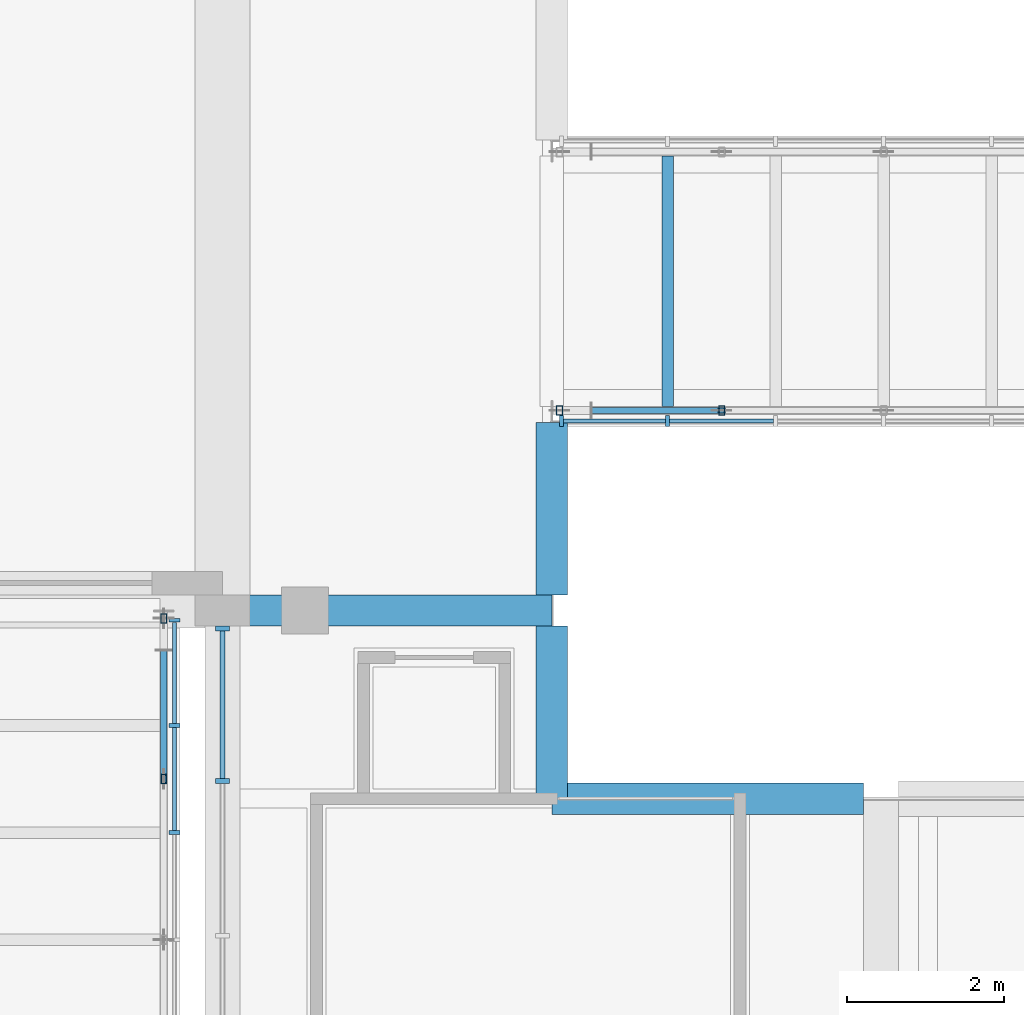
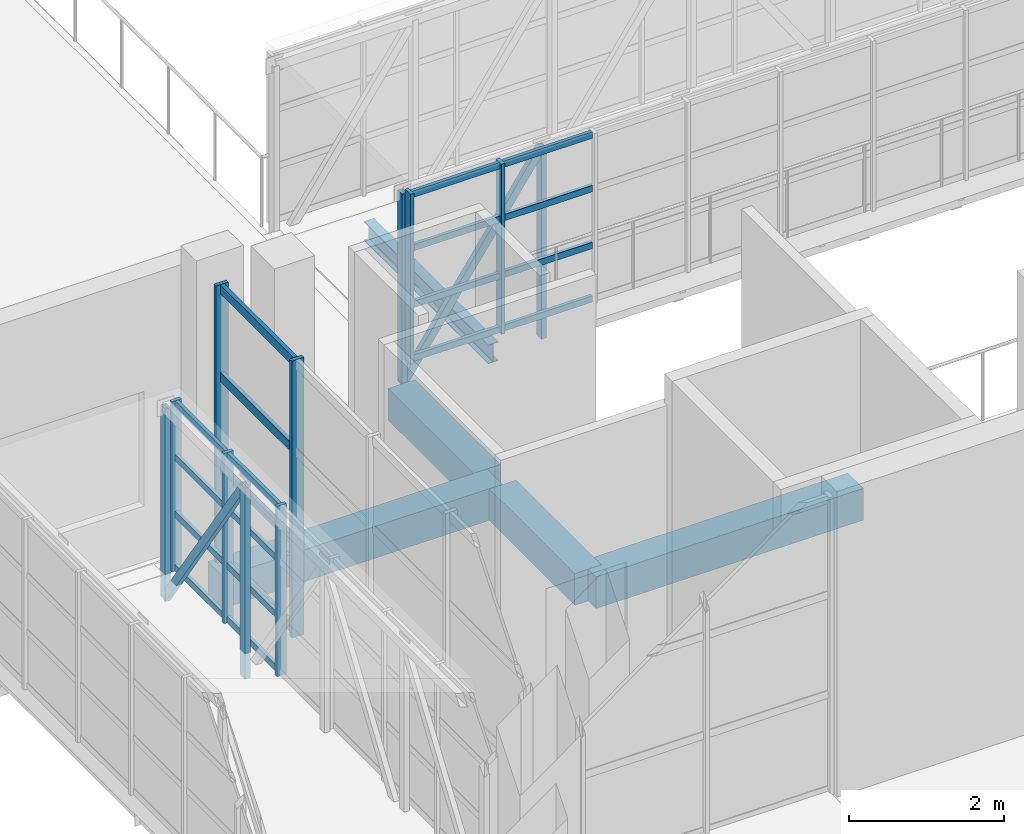
# One storey, part 15 of 67: 33 members, 6 beams, 3 elements without a shape of their own.
"""IFC4 building model written with IfcOpenShell, lengths in metres."""

from ifc_helpers import new_model, si_unit, direction, frame, origin, origin_2d, place, context, subcontext, project, spatial, rectangle, hollow_rectangle, i_section, extrude, material, layer, layer_set, material_profile, profile_set, type_object, element, aggregate, save


model = new_model("IFC4")

# Units and contexts
model_context = context("Model", 3, precision=1e-05, world=origin(), true_north=direction((0.0, 1.0)))
body_context = subcontext(model_context, "Body", "Model", "MODEL_VIEW")
ifc_project = project(units=[si_unit("LENGTHUNIT", "METRE"), si_unit("AREAUNIT", "SQUARE_METRE"), si_unit("VOLUMEUNIT", "CUBIC_METRE"), si_unit("PLANEANGLEUNIT", "RADIAN"), si_unit("MASSUNIT", "GRAM", prefix="KILO")], contexts=[model_context])

# Site, building, storey
site_placement = place(None, origin())
site = spatial("IfcSite", under=ifc_project, at=site_placement, CompositionType="ELEMENT")
building_placement = place(site_placement, origin())
building = spatial("IfcBuilding", under=site, at=building_placement, Name="Kiln Court Media Centre", CompositionType="ELEMENT")
storey_placement = place(building_placement, frame((0.0, 0.0, 19.800048828125)))
storey = spatial("IfcBuildingStorey", under=building, at=storey_placement, Name="L04", CompositionType="ELEMENT", Elevation=19.800048828125)

# Curtain wall, members
ifc_material_1 = material(Name="Aluminium 6063-T6", Category="aluminium")
ifc_layer_1 = layer(ifc_material_1, 0.1201171875)
ifc_layer_set_1 = layer_set([ifc_layer_1], Name="Aluminium unitised curtain wall, bridge")
curtain_wall_type_1 = type_object("IfcCurtainWallType", Name="Aluminium unitised curtain wall, bridge", PredefinedType="USERDEFINED", material=ifc_layer_set_1)
curtain_wall_1_placement = place(storey_placement, origin())
curtain_wall_1 = element("IfcCurtainWall", 1, at=curtain_wall_1_placement, inside=storey, type_object=curtain_wall_type_1, Name="BR-2 side glazing", ObjectType="UNITISED CURTAIN WALL", PredefinedType="USERDEFINED")
ifc_material_2 = material(Name="Aluminium 6063-T6", Category="aluminium")
ifc_material_profile_1 = material_profile(ifc_material_2, rectangle(XDim=0.050048828125, YDim=0.139892578125, at=origin_2d()), Name="Aluminium hall mullion 50x140")
ifc_profile_set_1 = profile_set([ifc_material_profile_1], Name="Aluminium 6063-T6")
member_type_1 = type_object("IfcMemberType", Name="Aluminium hall mullion 50x140", PredefinedType="MULLION", material=ifc_profile_set_1)
member_1_placement = place(storey_placement, frame((32.985107421875, 30.7666015625, 0.0), z_axis=(0.0, 0.0, 1.0), x_axis=(0.0, 1.0, 0.0)))
member_1 = element("IfcMember", 2, at=member_1_placement, type_object=member_type_1, Name="CW4-66 mullion 5", PredefinedType="MULLION", context=body_context, shape_type="SweptSolid", body=[
    extrude(rectangle(XDim=0.050048828125, YDim=0.139892578125, at=origin_2d()), origin(), (0.0, 0.0, 1.0), 2.675048828125),
])
member_2_placement = place(storey_placement, frame((32.985107421875, 32.13330078125, 0.0), z_axis=(0.0, 0.0, 1.0), x_axis=(0.0, 1.0, 0.0)))
member_2 = element("IfcMember", 3, at=member_2_placement, type_object=member_type_1, Name="CW4-66 mullion 6", PredefinedType="MULLION", context=body_context, shape_type="SweptSolid", body=[
    extrude(rectangle(XDim=0.050048828125, YDim=0.139892578125, at=origin_2d()), origin(), (0.0, 0.0, 1.0), 2.675048828125),
])
member_3_placement = place(storey_placement, frame((32.985107421875, 33.47509765625, 0.0), z_axis=(0.0, 0.0, 1.0), x_axis=(0.0, 1.0, 0.0)))
member_3 = element("IfcMember", 4, at=member_3_placement, type_object=member_type_1, Name="CW4-66 mullion 7", PredefinedType="MULLION", context=body_context, shape_type="SweptSolid", body=[
    extrude(rectangle(XDim=0.050048828125, YDim=0.139892578125, at=origin_2d()), origin(), (0.0, 0.0, 1.0), 2.675048828125),
])

curtain_wall_2_placement = place(storey_placement, origin())
curtain_wall_2 = element("IfcCurtainWall", 5, at=curtain_wall_2_placement, inside=storey, type_object=curtain_wall_type_1, Name="BR-L04-FOY-11 side glazing", ObjectType="UNITISED CURTAIN WALL", PredefinedType="USERDEFINED")
member_4_placement = place(storey_placement, frame((37.925048828125, 36.014892578125, 0.0), z_axis=(0.0, 0.0, 1.0), x_axis=(1.0, 0.0, 0.0)))
member_4 = element("IfcMember", 6, at=member_4_placement, type_object=member_type_1, Name="CW4-67 mullion 1", PredefinedType="MULLION", context=body_context, shape_type="SweptSolid", body=[
    extrude(rectangle(XDim=0.050048828125, YDim=0.139892578125, at=origin_2d()), origin(), (0.0, 0.0, 1.0), 2.675048828125),
])
member_5_placement = place(storey_placement, frame((39.27783203125, 36.014892578125, 0.0), z_axis=(0.0, 0.0, 1.0), x_axis=(1.0, 0.0, 0.0)))
member_5 = element("IfcMember", 7, at=member_5_placement, type_object=member_type_1, Name="CW4-67 mullion 2", PredefinedType="MULLION", context=body_context, shape_type="SweptSolid", body=[
    extrude(rectangle(XDim=0.050048828125, YDim=0.139892578125, at=origin_2d()), origin(), (0.0, 0.0, 1.0), 2.675048828125),
])

ifc_material_3 = material(Name="Aluminium 6063-T6", Category="aluminium")
ifc_layer_2 = layer(ifc_material_3, 0.1201171875)
ifc_layer_set_2 = layer_set([ifc_layer_2], Name="Aluminium stick curtain wall, gallery")
curtain_wall_type_2 = type_object("IfcCurtainWallType", Name="Aluminium stick curtain wall, gallery", PredefinedType="USERDEFINED", material=ifc_layer_set_2)
curtain_wall_3_placement = place(storey_placement, origin())
curtain_wall_3 = element("IfcCurtainWall", 8, at=curtain_wall_3_placement, inside=storey, type_object=curtain_wall_type_2, Name="Foyer west glazing L04", ObjectType="STICK CURTAIN WALL", PredefinedType="USERDEFINED")
ifc_material_4 = material(Name="Aluminium 6063-T6", Category="aluminium")
ifc_material_profile_2 = material_profile(ifc_material_4, rectangle(XDim=0.06005859375, YDim=0.179931640625, at=origin_2d()), Name="Aluminium hall mullion 60x180")
ifc_profile_set_2 = profile_set([ifc_material_profile_2], Name="Aluminium 6063-T6")
member_type_2 = type_object("IfcMemberType", Name="Aluminium hall mullion 60x180", PredefinedType="MULLION", material=ifc_profile_set_2)
member_6_placement = place(storey_placement, frame((33.60009765625, 31.425048828125, 0.0), z_axis=(0.0, 0.0, 1.0), x_axis=(0.0, 1.0, 0.0)))
member_6 = element("IfcMember", 9, at=member_6_placement, type_object=member_type_2, Name="CW4-64 mullion 4", PredefinedType="MULLION", context=body_context, shape_type="SweptSolid", body=[
    extrude(rectangle(XDim=0.06005859375, YDim=0.179931640625, at=origin_2d()), origin(), (0.0, 0.0, 1.0), 4.349853515625),
])
member_7_placement = place(storey_placement, frame((33.60009765625, 33.3701171875, 0.0), z_axis=(0.0, 0.0, 1.0), x_axis=(0.0, 1.0, 0.0)))
member_7 = element("IfcMember", 10, at=member_7_placement, type_object=member_type_2, Name="CW4-64 mullion 5", PredefinedType="MULLION", context=body_context, shape_type="SweptSolid", body=[
    extrude(rectangle(XDim=0.06005859375, YDim=0.179931640625, at=origin_2d()), origin(), (0.0, 0.0, 1.0), 4.349853515625),
])

# Member
ifc_material_5 = material(Name="Aluminium 6063-T6", Category="aluminium")
ifc_material_profile_3 = material_profile(ifc_material_5, rectangle(XDim=0.050048828125, YDim=0.10009765625, at=origin_2d()), Name="Aluminium hall transom 50x100")
ifc_profile_set_3 = profile_set([ifc_material_profile_3], Name="Aluminium 6063-T6")
member_type_3 = type_object("IfcMemberType", Name="Aluminium hall transom 50x100", PredefinedType="USERDEFINED", material=ifc_profile_set_3)
member_8_placement = place(storey_placement, frame((32.985107421875, 30.791748046875, 0.050048828125), z_axis=(0.0, 1.0, 0.0), x_axis=(-1.0, 0.0, 0.0)))
member_8 = element("IfcMember", 11, at=member_8_placement, type_object=member_type_3, Name="CW4-66 transom 5.1", ObjectType="TRANSOM", PredefinedType="USERDEFINED", context=body_context, shape_type="SweptSolid", body=[
    extrude(rectangle(XDim=0.050048828125, YDim=0.10009765625, at=origin_2d()), origin(), (0.0, 0.0, 1.0), 1.316650390625),
])

member_9_placement = place(storey_placement, frame((32.985107421875, 30.791748046875, 0.8916015625), z_axis=(0.0, 1.0, 0.0), x_axis=(-1.0, 0.0, 0.0)))
member_9 = element("IfcMember", 12, at=member_9_placement, type_object=member_type_3, Name="CW4-66 transom 5.2", ObjectType="TRANSOM", PredefinedType="USERDEFINED", context=body_context, shape_type="SweptSolid", body=[
    extrude(rectangle(XDim=0.050048828125, YDim=0.10009765625, at=origin_2d()), origin(), (0.0, 0.0, 1.0), 1.316650390625),
])

member_10_placement = place(storey_placement, frame((32.985107421875, 30.791748046875, 1.783203125), z_axis=(0.0, 1.0, 0.0), x_axis=(-1.0, 0.0, 0.0)))
member_10 = element("IfcMember", 13, at=member_10_placement, type_object=member_type_3, Name="CW4-66 transom 5.3", ObjectType="TRANSOM", PredefinedType="USERDEFINED", context=body_context, shape_type="SweptSolid", body=[
    extrude(rectangle(XDim=0.050048828125, YDim=0.10009765625, at=origin_2d()), origin(), (0.0, 0.0, 1.0), 1.316650390625),
])

member_11_placement = place(storey_placement, frame((32.985107421875, 30.791748046875, 2.625), z_axis=(0.0, 1.0, 0.0), x_axis=(-1.0, 0.0, 0.0)))
member_11 = element("IfcMember", 14, at=member_11_placement, type_object=member_type_3, Name="CW4-66 transom 5.4", ObjectType="TRANSOM", PredefinedType="USERDEFINED", context=body_context, shape_type="SweptSolid", body=[
    extrude(rectangle(XDim=0.050048828125, YDim=0.10009765625, at=origin_2d()), origin(), (0.0, 0.0, 1.0), 1.316650390625),
])

member_12_placement = place(storey_placement, frame((32.985107421875, 32.158447265625, 0.050048828125), z_axis=(0.0, 1.0, 0.0), x_axis=(-1.0, 0.0, 0.0)))
member_12 = element("IfcMember", 15, at=member_12_placement, type_object=member_type_3, Name="CW4-66 transom 6.1", ObjectType="TRANSOM", PredefinedType="USERDEFINED", context=body_context, shape_type="SweptSolid", body=[
    extrude(rectangle(XDim=0.050048828125, YDim=0.10009765625, at=origin_2d()), origin(), (0.0, 0.0, 1.0), 1.29150390625),
])

member_13_placement = place(storey_placement, frame((32.985107421875, 32.158447265625, 0.8916015625), z_axis=(0.0, 1.0, 0.0), x_axis=(-1.0, 0.0, 0.0)))
member_13 = element("IfcMember", 16, at=member_13_placement, type_object=member_type_3, Name="CW4-66 transom 6.2", ObjectType="TRANSOM", PredefinedType="USERDEFINED", context=body_context, shape_type="SweptSolid", body=[
    extrude(rectangle(XDim=0.050048828125, YDim=0.10009765625, at=origin_2d()), origin(), (0.0, 0.0, 1.0), 1.29150390625),
])

member_14_placement = place(storey_placement, frame((32.985107421875, 32.158447265625, 1.783203125), z_axis=(0.0, 1.0, 0.0), x_axis=(-1.0, 0.0, 0.0)))
member_14 = element("IfcMember", 17, at=member_14_placement, type_object=member_type_3, Name="CW4-66 transom 6.3", ObjectType="TRANSOM", PredefinedType="USERDEFINED", context=body_context, shape_type="SweptSolid", body=[
    extrude(rectangle(XDim=0.050048828125, YDim=0.10009765625, at=origin_2d()), origin(), (0.0, 0.0, 1.0), 1.29150390625),
])

member_15_placement = place(storey_placement, frame((32.985107421875, 32.158447265625, 2.625), z_axis=(0.0, 1.0, 0.0), x_axis=(-1.0, 0.0, 0.0)))
member_15 = element("IfcMember", 18, at=member_15_placement, type_object=member_type_3, Name="CW4-66 transom 6.4", ObjectType="TRANSOM", PredefinedType="USERDEFINED", context=body_context, shape_type="SweptSolid", body=[
    extrude(rectangle(XDim=0.050048828125, YDim=0.10009765625, at=origin_2d()), origin(), (0.0, 0.0, 1.0), 1.29150390625),
])

aggregate(curtain_wall_1, [member_1, member_2, member_3, member_8, member_9, member_10, member_11, member_12, member_13, member_14, member_15])

member_16_placement = place(storey_placement, frame((37.949951171875, 36.014892578125, 0.050048828125), z_axis=(1.0, 0.0, 0.0), x_axis=(0.0, 1.0, 0.0)))
member_16 = element("IfcMember", 19, at=member_16_placement, type_object=member_type_3, Name="CW4-67 transom 1.1", ObjectType="TRANSOM", PredefinedType="USERDEFINED", context=body_context, shape_type="SweptSolid", body=[
    extrude(rectangle(XDim=0.050048828125, YDim=0.10009765625, at=origin_2d()), origin(), (0.0, 0.0, 1.0), 1.302734375),
])

member_17_placement = place(storey_placement, frame((37.949951171875, 36.014892578125, 0.8916015625), z_axis=(1.0, 0.0, 0.0), x_axis=(0.0, 1.0, 0.0)))
member_17 = element("IfcMember", 20, at=member_17_placement, type_object=member_type_3, Name="CW4-67 transom 1.2", ObjectType="TRANSOM", PredefinedType="USERDEFINED", context=body_context, shape_type="SweptSolid", body=[
    extrude(rectangle(XDim=0.050048828125, YDim=0.10009765625, at=origin_2d()), origin(), (0.0, 0.0, 1.0), 1.302734375),
])

member_18_placement = place(storey_placement, frame((37.949951171875, 36.014892578125, 1.783203125), z_axis=(1.0, 0.0, 0.0), x_axis=(0.0, 1.0, 0.0)))
member_18 = element("IfcMember", 21, at=member_18_placement, type_object=member_type_3, Name="CW4-67 transom 1.3", ObjectType="TRANSOM", PredefinedType="USERDEFINED", context=body_context, shape_type="SweptSolid", body=[
    extrude(rectangle(XDim=0.050048828125, YDim=0.10009765625, at=origin_2d()), origin(), (0.0, 0.0, 1.0), 1.302734375),
])

member_19_placement = place(storey_placement, frame((37.949951171875, 36.014892578125, 2.625), z_axis=(1.0, 0.0, 0.0), x_axis=(0.0, 1.0, 0.0)))
member_19 = element("IfcMember", 22, at=member_19_placement, type_object=member_type_3, Name="CW4-67 transom 1.4", ObjectType="TRANSOM", PredefinedType="USERDEFINED", context=body_context, shape_type="SweptSolid", body=[
    extrude(rectangle(XDim=0.050048828125, YDim=0.10009765625, at=origin_2d()), origin(), (0.0, 0.0, 1.0), 1.302734375),
])

member_20_placement = place(storey_placement, frame((39.302734375, 36.014892578125, 0.050048828125), z_axis=(1.0, 0.0, 0.0), x_axis=(0.0, 1.0, 0.0)))
member_20 = element("IfcMember", 23, at=member_20_placement, type_object=member_type_3, Name="CW4-67 transom 2.1", ObjectType="TRANSOM", PredefinedType="USERDEFINED", context=body_context, shape_type="SweptSolid", body=[
    extrude(rectangle(XDim=0.050048828125, YDim=0.10009765625, at=origin_2d()), origin(), (0.0, 0.0, 1.0), 1.327880859375),
])

member_21_placement = place(storey_placement, frame((39.302734375, 36.014892578125, 0.8916015625), z_axis=(1.0, 0.0, 0.0), x_axis=(0.0, 1.0, 0.0)))
member_21 = element("IfcMember", 24, at=member_21_placement, type_object=member_type_3, Name="CW4-67 transom 2.2", ObjectType="TRANSOM", PredefinedType="USERDEFINED", context=body_context, shape_type="SweptSolid", body=[
    extrude(rectangle(XDim=0.050048828125, YDim=0.10009765625, at=origin_2d()), origin(), (0.0, 0.0, 1.0), 1.327880859375),
])

member_22_placement = place(storey_placement, frame((39.302734375, 36.014892578125, 1.783203125), z_axis=(1.0, 0.0, 0.0), x_axis=(0.0, 1.0, 0.0)))
member_22 = element("IfcMember", 25, at=member_22_placement, type_object=member_type_3, Name="CW4-67 transom 2.3", ObjectType="TRANSOM", PredefinedType="USERDEFINED", context=body_context, shape_type="SweptSolid", body=[
    extrude(rectangle(XDim=0.050048828125, YDim=0.10009765625, at=origin_2d()), origin(), (0.0, 0.0, 1.0), 1.327880859375),
])

member_23_placement = place(storey_placement, frame((39.302734375, 36.014892578125, 2.625), z_axis=(1.0, 0.0, 0.0), x_axis=(0.0, 1.0, 0.0)))
member_23 = element("IfcMember", 26, at=member_23_placement, type_object=member_type_3, Name="CW4-67 transom 2.4", ObjectType="TRANSOM", PredefinedType="USERDEFINED", context=body_context, shape_type="SweptSolid", body=[
    extrude(rectangle(XDim=0.050048828125, YDim=0.10009765625, at=origin_2d()), origin(), (0.0, 0.0, 1.0), 1.327880859375),
])

aggregate(curtain_wall_2, [member_4, member_5, member_16, member_17, member_18, member_19, member_20, member_21, member_22, member_23])

ifc_material_6 = material(Name="Aluminium 6063-T6", Category="aluminium")
ifc_material_profile_4 = material_profile(ifc_material_6, rectangle(XDim=0.06005859375, YDim=0.139892578125, at=origin_2d()), Name="Aluminium hall transom 60x140")
ifc_profile_set_4 = profile_set([ifc_material_profile_4], Name="Aluminium 6063-T6")
member_type_4 = type_object("IfcMemberType", Name="Aluminium hall transom 60x140", PredefinedType="USERDEFINED", material=ifc_profile_set_4)
member_24_placement = place(storey_placement, frame((33.60009765625, 31.455078125, 0.070068359375), z_axis=(0.0, 1.0, 0.0), x_axis=(-1.0, 0.0, 0.0)))
member_24 = element("IfcMember", 27, at=member_24_placement, type_object=member_type_4, Name="CW4-64 transom 4.1", ObjectType="TRANSOM", PredefinedType="USERDEFINED", context=body_context, shape_type="SweptSolid", body=[
    extrude(rectangle(XDim=0.06005859375, YDim=0.139892578125, at=origin_2d()), origin(), (0.0, 0.0, 1.0), 1.885009765625),
])

member_25_placement = place(storey_placement, frame((33.60009765625, 31.455078125, 1.449951171875), z_axis=(0.0, 1.0, 0.0), x_axis=(-1.0, 0.0, 0.0)))
member_25 = element("IfcMember", 28, at=member_25_placement, type_object=member_type_4, Name="CW4-64 transom 4.2", ObjectType="TRANSOM", PredefinedType="USERDEFINED", context=body_context, shape_type="SweptSolid", body=[
    extrude(rectangle(XDim=0.06005859375, YDim=0.139892578125, at=origin_2d()), origin(), (0.0, 0.0, 1.0), 1.885009765625),
])

member_26_placement = place(storey_placement, frame((33.60009765625, 31.455078125, 2.89990234375), z_axis=(0.0, 1.0, 0.0), x_axis=(-1.0, 0.0, 0.0)))
member_26 = element("IfcMember", 29, at=member_26_placement, type_object=member_type_4, Name="CW4-64 transom 4.3", ObjectType="TRANSOM", PredefinedType="USERDEFINED", context=body_context, shape_type="SweptSolid", body=[
    extrude(rectangle(XDim=0.06005859375, YDim=0.139892578125, at=origin_2d()), origin(), (0.0, 0.0, 1.0), 1.885009765625),
])

member_27_placement = place(storey_placement, frame((33.60009765625, 31.455078125, 4.280029296875), z_axis=(0.0, 1.0, 0.0), x_axis=(-1.0, 0.0, 0.0)))
member_27 = element("IfcMember", 30, at=member_27_placement, type_object=member_type_4, Name="CW4-64 transom 4.4", ObjectType="TRANSOM", PredefinedType="USERDEFINED", context=body_context, shape_type="SweptSolid", body=[
    extrude(rectangle(XDim=0.06005859375, YDim=0.139892578125, at=origin_2d()), origin(), (0.0, 0.0, 1.0), 1.885009765625),
])

aggregate(curtain_wall_3, [member_6, member_7, member_24, member_25, member_26, member_27])

# Beams
ifc_material_7 = material(Name="Concrete C30/37", Category="concrete")
ifc_material_profile_5 = material_profile(ifc_material_7, rectangle(XDim=0.39990234375, YDim=0.5, at=origin_2d()), Name="RC 400x500")
ifc_profile_set_5 = profile_set([ifc_material_profile_5], Name="Concrete C30/37")
beam_type_1 = type_object("IfcBeamType", Name="Concrete C30/37 beam 400x500", PredefinedType="BEAM", material=ifc_profile_set_5)
beam_1_placement = place(storey_placement, frame((33.64990234375, 33.60009765625, -0.550048828125), z_axis=(1.0, 0.0, 0.0), x_axis=(0.0, 1.0, 0.0)))
element("IfcBeam", 31, at=beam_1_placement, inside=storey, type_object=beam_type_1, Name="L04-B-1094", PredefinedType="BEAM", context=body_context, shape_type="SweptSolid", body=[
    extrude(rectangle(XDim=0.39990234375, YDim=0.5, at=origin_2d()), origin(), (0.0, 0.0, 1.0), 1.0),
])
beam_2_placement = place(storey_placement, frame((34.64990234375, 33.60009765625, -0.550048828125), z_axis=(1.0, 0.0, 0.0), x_axis=(0.0, 1.0, 0.0)))
element("IfcBeam", 32, at=beam_2_placement, inside=storey, type_object=beam_type_1, Name="L04-B-1095", PredefinedType="BEAM", context=body_context, shape_type="SweptSolid", body=[
    extrude(rectangle(XDim=0.39990234375, YDim=0.5, at=origin_2d()), origin(), (0.0, 0.0, 1.0), 3.151123046875),
])
for number, where, z_axis, x_axis, name in (
    (33, (37.800048828125, 36.0, -0.550048828125), (0.0, -1.0, 0.0), (1.0, 0.0, 0.0), "L04-B-1112"),
    (34, (37.800048828125, 33.39990234375, -0.550048828125), (0.0, -1.0, 0.0), (1.0, 0.0, 0.0), "L04-B-1113"),
):
    element("IfcBeam", number, at=place(storey_placement, frame(where, z_axis=z_axis, x_axis=x_axis)), inside=storey, type_object=beam_type_1, Name=name, PredefinedType="BEAM", context=body_context, shape_type="SweptSolid", body=[
        extrude(rectangle(XDim=0.39990234375, YDim=0.5, at=origin_2d()), origin(), (0.0, 0.0, 1.0), 2.199951171875),
    ])
beam_3_placement = place(storey_placement, frame((37.800048828125, 31.199951171875, -0.550048828125), z_axis=(1.0, 0.0, 0.0), x_axis=(0.0, 1.0, 0.0)))
element("IfcBeam", 35, at=beam_3_placement, inside=storey, type_object=beam_type_1, Name="L04-B-1114", PredefinedType="BEAM", context=body_context, shape_type="SweptSolid", body=[
    extrude(rectangle(XDim=0.39990234375, YDim=0.5, at=origin_2d()), origin(), (0.0, 0.0, 1.0), 3.974853515625),
])

# Members
ifc_material_8 = material(Name="Steel ASTM A500 Gr C", Category="steel")
ifc_material_profile_6 = material_profile(ifc_material_8, hollow_rectangle(XDim=0.080078125, YDim=0.1201171875, WallThickness=0.00634765625, at=origin_2d()), Name="RHS 120x80x6.3")
ifc_profile_set_6 = profile_set([ifc_material_profile_6], Name="Steel ASTM A500 Gr C")
member_type_5 = type_object("IfcMemberType", Name="Steel ASTM A500 Gr C RHS 120x80x6.3 bridge truss web", PredefinedType="BRACE", material=ifc_profile_set_6)
for number, where, z_axis, x_axis, name in (
    (36, (32.85009765625, 31.449951171875, -0.400146484375), (0.0, 0.0, 1.0), (1.0, 0.0, 0.0), "bridge BR-2 side truss 2 post 4 bridge truss web"),
    (37, (32.85009765625, 33.5, -0.400146484375), (0.0, 0.0, 1.0), (1.0, 0.0, 0.0), "bridge BR-2 side truss 2 post 5 bridge truss web"),
):
    element("IfcMember", number, at=place(storey_placement, frame(where, z_axis=z_axis, x_axis=x_axis)), inside=storey, type_object=member_type_5, Name=name, PredefinedType="BRACE", context=body_context, shape_type="SweptSolid", body=[
        extrude(hollow_rectangle(XDim=0.080078125, YDim=0.1201171875, WallThickness=0.00634765625, at=origin_2d()), origin(), (0.0, 0.0, 1.0), 3.0),
    ])
member_28_placement = place(storey_placement, frame((32.85009765625, 31.449951171875, 2.599853515625), z_axis=(0.0, 0.564199665614, -0.825638381691), x_axis=(-1.0, 0.0, 0.0)))
element("IfcMember", 38, at=member_28_placement, inside=storey, type_object=member_type_5, Name="bridge BR-2 side truss 2 diagonal 4 bridge truss web", PredefinedType="BRACE", context=body_context, shape_type="SweptSolid", body=[
    extrude(hollow_rectangle(XDim=0.080078125, YDim=0.1201171875, WallThickness=0.00634765625, at=origin_2d()), origin(), (0.0, 0.0, 1.0), 3.633544921875),
])
for number, where, z_axis, x_axis, name in (
    (39, (37.89990234375, 36.14990234375, -0.400146484375), (0.0, 0.0, 1.0), (1.0, 0.0, 0.0), "bridge BR-L04-FOY-11 side truss 1 post 1 bridge truss web"),
    (40, (39.966796875, 36.14990234375, -0.400146484375), (0.0, 0.0, 1.0), (1.0, 0.0, 0.0), "bridge BR-L04-FOY-11 side truss 1 post 2 bridge truss web"),
):
    element("IfcMember", number, at=place(storey_placement, frame(where, z_axis=z_axis, x_axis=x_axis)), inside=storey, type_object=member_type_5, Name=name, PredefinedType="BRACE", context=body_context, shape_type="SweptSolid", body=[
        extrude(hollow_rectangle(XDim=0.080078125, YDim=0.1201171875, WallThickness=0.00634765625, at=origin_2d()), origin(), (0.0, 0.0, 1.0), 3.0),
    ])
member_29_placement = place(storey_placement, frame((37.89990234375, 36.14990234375, -0.400146484375), z_axis=(0.567347652797, 0.0, 0.823478379113), x_axis=(0.0, 1.0, 0.0)))
element("IfcMember", 41, at=member_29_placement, inside=storey, type_object=member_type_5, Name="bridge BR-L04-FOY-11 side truss 1 diagonal 1 bridge truss web", PredefinedType="BRACE", context=body_context, shape_type="SweptSolid", body=[
    extrude(hollow_rectangle(XDim=0.080078125, YDim=0.1201171875, WallThickness=0.00634765625, at=origin_2d()), origin(), (0.0, 0.0, 1.0), 3.64306640625),
])

# Beam
ifc_material_9 = material(Name="Steel ASTM A572 Gr 50", Category="steel")
ifc_material_profile_7 = material_profile(ifc_material_9, i_section(OverallWidth=0.14990234375, OverallDepth=0.300048828125, WebThickness=0.007080078125, FlangeThickness=0.0107421875, FilletRadius=0.014892578125, at=origin_2d()), Name="IPE 300")
ifc_profile_set_7 = profile_set([ifc_material_profile_7], Name="Steel ASTM A572 Gr 50")
beam_type_2 = type_object("IfcBeamType", Name="Steel ASTM A572 Gr 50 IPE 300 bridge floor beam", PredefinedType="BEAM", material=ifc_profile_set_7)
beam_4_placement = place(storey_placement, frame((39.27783203125, 36.199951171875, -0.449951171875), z_axis=(0.0, 1.0, 0.0), x_axis=(-1.0, 0.0, 0.0)))
element("IfcBeam", 42, at=beam_4_placement, inside=storey, type_object=beam_type_2, Name="bridge BR-L04-FOY-11 floor beam 1 bridge floor beam", PredefinedType="BEAM", context=body_context, shape_type="SweptSolid", body=[
    extrude(i_section(OverallWidth=0.14990234375, OverallDepth=0.300048828125, WebThickness=0.007080078125, FlangeThickness=0.0107421875, FilletRadius=0.014892578125, at=origin_2d()), origin(), (0.0, 0.0, 1.0), 3.199951171875),
])

save(model, "model.ifc")
